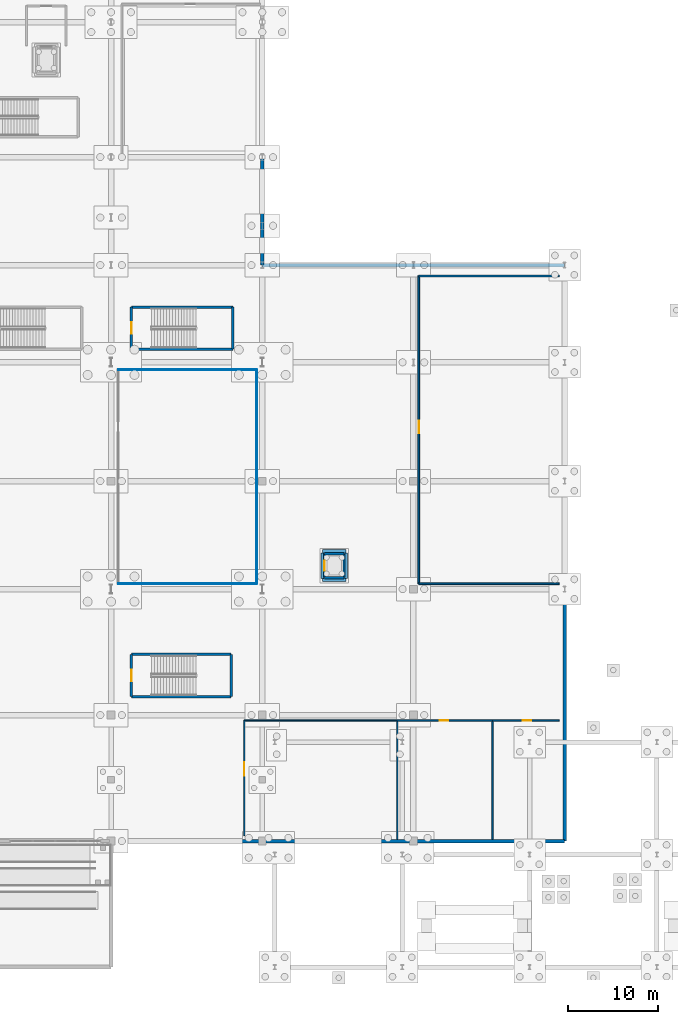
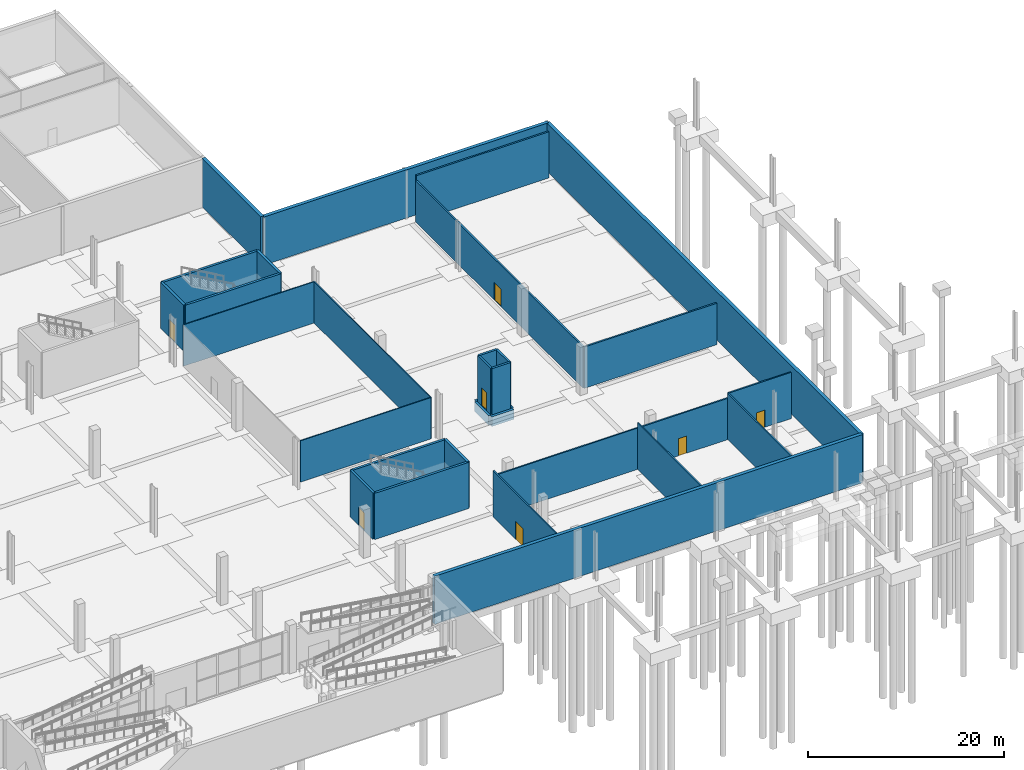
# One storey, part 32 of 46: 32 walls, 7 doors, 7 openings.
"""IFC4 building model written with IfcOpenShell, lengths in metres."""

from ifc_helpers import new_model, si_unit, direction, frame, frame_2d, origin, place, context, subcontext, project, spatial, rectangle, extrude, material, layer, layer_set, type_object, element, fill, save


model = new_model("IFC4")

# Units and contexts
model_context = context("Model", 3, precision=1e-05, world=origin(), true_north=direction((0.0, 1.0)))
body_context = subcontext(model_context, "Body", "Model", "MODEL_VIEW")
ifc_project = project(units=[si_unit("LENGTHUNIT", "METRE"), si_unit("AREAUNIT", "SQUARE_METRE"), si_unit("VOLUMEUNIT", "CUBIC_METRE"), si_unit("PLANEANGLEUNIT", "RADIAN"), si_unit("MASSUNIT", "GRAM", prefix="KILO")], contexts=[model_context])

# Site, building, storey
site_placement = place(None, origin())
site = spatial("IfcSite", under=ifc_project, at=site_placement, CompositionType="ELEMENT")
building_placement = place(site_placement, origin())
building = spatial("IfcBuilding", under=site, at=building_placement, Name="Kimbaza Rail Terminus", CompositionType="ELEMENT")
storey_placement = place(building_placement, frame((0.0, 0.0, -6.0)))
storey = spatial("IfcBuildingStorey", under=building, at=storey_placement, Name="B1", CompositionType="ELEMENT", Elevation=-6.0)

# Walls
ifc_material_1 = material(Name="Concrete blockwork C30/37", Category="masonry")
ifc_layer_1 = layer(ifc_material_1, 0.199951171875)
ifc_layer_set_1 = layer_set([ifc_layer_1], Name="Concrete blockwork C30/37")
wall_type_1 = type_object("IfcWallType", Name="ARC-WL-FIRE200", PredefinedType="PARTITIONING", material=ifc_layer_set_1)
wall_1_placement = place(storey_placement, frame((173.39990234375, 55.60009765625, 0.0), z_axis=(0.0, 0.0, 1.0), x_axis=(1.0, 0.0, 0.0)))
element("IfcWall", 1, at=wall_1_placement, inside=storey, type_object=wall_type_1, Name="Tunnel Ventilation Fan Plant East Partition (south)", PredefinedType="PARTITIONING", context=body_context, shape_type="SweptSolid", body=[
    extrude(rectangle(XDim=15.60009765625, YDim=0.199951171875, at=frame_2d((7.800048828125, 0.0))), origin(), (0.0, 0.0, 1.0), 5.14501953125),
])
wall_2_placement = place(storey_placement, frame((189.0, 89.800048828125, 0.0), z_axis=(0.0, 0.0, 1.0), x_axis=(-1.0, 0.0, 0.0)))
element("IfcWall", 2, at=wall_2_placement, inside=storey, type_object=wall_type_1, Name="Tunnel Ventilation Fan Plant East Partition (north)", PredefinedType="PARTITIONING", context=body_context, shape_type="SweptSolid", body=[
    extrude(rectangle(XDim=15.60009765625, YDim=0.199951171875, at=frame_2d((7.800048828125, 0.0))), origin(), (0.0, 0.0, 1.0), 5.75),
])

# Wall, opening, door
wall_3_placement = place(storey_placement, frame((173.39990234375, 89.800048828125, 0.0), z_axis=(0.0, 0.0, 1.0), x_axis=(0.0, -1.0, 0.0)))
wall_3 = element("IfcWall", 3, at=wall_3_placement, inside=storey, type_object=wall_type_1, Name="Tunnel Ventilation Fan Plant East Partition (west)", PredefinedType="PARTITIONING", context=body_context, shape_type="SweptSolid", body=[
    extrude(rectangle(XDim=34.199951171875, YDim=0.199951171875, at=frame_2d((17.10009765625, 0.0))), origin(), (0.0, 0.0, 1.0), 5.14501953125),
])
opening_1_placement = place(wall_3_placement, frame((16.10009765625, 0.0, 0.0)))
opening_1 = element("IfcOpeningElement", 4, at=opening_1_placement, cuts=wall_3, Name="Opening FD-01", PredefinedType="OPENING", context=body_context, shape_type="SweptSolid", body=[
    extrude(rectangle(XDim=1.39990234375, YDim=2.199951171875, at=frame_2d((0.699951171875, 1.10009765625))), frame((0.0, 0.10986328125, 0.0), z_axis=(0.0, -1.0, 0.0), x_axis=(1.0, 0.0, 0.0)), (0.0, 0.0, 1.0), 0.219970703125),
])
ifc_material_2 = material(Name="Galvanised painted steel fire escape door", Category="steel")
door_type_1 = type_object("IfcDoorType", Name="ARC-DR-FD140", OperationType="NOTDEFINED", PredefinedType="DOOR", material=ifc_material_2)
door_1_placement = place(opening_1_placement, origin())
door_1 = element("IfcDoor", 5, at=door_1_placement, inside=storey, type_object=door_type_1, Name="IDR-SPC-B1-VENTE", OperationType="SINGLE_SWING_RIGHT", OverallHeight=2.199951171875, OverallWidth=1.39990234375, PredefinedType="DOOR", context=body_context, shape_type="SweptSolid", body=[
    extrude(rectangle(XDim=1.39990234375, YDim=2.199951171875, at=frame_2d((0.699951171875, 1.10009765625))), frame((0.0, 0.02490234375, 0.0), z_axis=(0.0, -1.0, 0.0), x_axis=(1.0, 0.0, 0.0)), (0.0, 0.0, 1.0), 0.050048828125),
])
fill(opening_1, door_1)

# Walls
ifc_material_3 = material(Name="Demountable acoustic glass wall", Category="glass")
ifc_layer_2 = layer(ifc_material_3, 0.110107421875)
ifc_layer_set_2 = layer_set([ifc_layer_2], Name="Demountable acoustic glass wall")
wall_type_2 = type_object("IfcWallType", Name="ARC-WL-MOV110", PredefinedType="MOVABLE", material=ifc_layer_set_2)
wall_4_placement = place(storey_placement, frame((140.0, 55.60009765625, 0.0), z_axis=(0.0, 0.0, 1.0), x_axis=(1.0, 0.0, 0.0)))
element("IfcWall", 6, at=wall_4_placement, inside=storey, type_object=wall_type_2, Name="Automated Baggage Handling Vault Partition (south)", PredefinedType="MOVABLE", context=body_context, shape_type="SweptSolid", body=[
    extrude(rectangle(XDim=15.39990234375, YDim=0.110107421875, at=frame_2d((7.699951171875, 0.0))), origin(), (0.0, 0.0, 1.0), 5.14501953125),
])
wall_5_placement = place(storey_placement, frame((155.39990234375, 55.60009765625, 0.0), z_axis=(0.0, 0.0, 1.0), x_axis=(0.0, 1.0, 0.0)))
element("IfcWall", 7, at=wall_5_placement, inside=storey, type_object=wall_type_2, Name="Automated Baggage Handling Vault Partition (east)", PredefinedType="MOVABLE", context=body_context, shape_type="SweptSolid", body=[
    extrude(rectangle(XDim=23.7998046875, YDim=0.110107421875, at=frame_2d((11.89990234375, 0.0))), origin(), (0.0, 0.0, 1.0), 5.14501953125),
])
wall_6_placement = place(storey_placement, frame((155.39990234375, 79.39990234375, 0.0), z_axis=(0.0, 0.0, 1.0), x_axis=(-1.0, 0.0, 0.0)))
element("IfcWall", 8, at=wall_6_placement, inside=storey, type_object=wall_type_2, Name="Automated Baggage Handling Vault Partition (north)", PredefinedType="MOVABLE", context=body_context, shape_type="SweptSolid", body=[
    extrude(rectangle(XDim=15.39990234375, YDim=0.110107421875, at=frame_2d((7.699951171875, 0.0))), origin(), (0.0, 0.0, 1.0), 5.14501953125),
])
ifc_material_4 = material(Name="Acoustic gypsum stud partition", Category="gypsum")
ifc_layer_3 = layer(ifc_material_4, 0.159912109375)
ifc_layer_set_3 = layer_set([ifc_layer_3], Name="Acoustic gypsum stud partition")
wall_type_3 = type_object("IfcWallType", Name="ARC-WL-PART160", PredefinedType="PARTITIONING", material=ifc_layer_set_3)
wall_7_placement = place(storey_placement, frame((171.0, 27.199951171875, 0.0), z_axis=(0.0, 0.0, 1.0), x_axis=(0.0, 1.0, 0.0)))
element("IfcWall", 9, at=wall_7_placement, inside=storey, type_object=wall_type_3, Name="Metro Convenience Kiosk Partition (east)", PredefinedType="PARTITIONING", context=body_context, shape_type="SweptSolid", body=[
    extrude(rectangle(XDim=13.199951171875, YDim=0.159912109375, at=frame_2d((6.60009765625, 0.0))), origin(), (0.0, 0.0, 1.0), 5.75),
])
wall_8_placement = place(storey_placement, frame((171.0, 40.39990234375, 0.0), z_axis=(0.0, 0.0, 1.0), x_axis=(-1.0, 0.0, 0.0)))
element("IfcWall", 10, at=wall_8_placement, inside=storey, type_object=wall_type_3, Name="Metro Convenience Kiosk Partition (north)", PredefinedType="PARTITIONING", context=body_context, shape_type="SweptSolid", body=[
    extrude(rectangle(XDim=17.0, YDim=0.159912109375, at=frame_2d((8.5, 0.0))), origin(), (0.0, 0.0, 1.0), 5.14501953125),
])

# Wall, opening, door
wall_9_placement = place(storey_placement, frame((154.0, 40.39990234375, 0.0), z_axis=(0.0, 0.0, 1.0), x_axis=(0.0, -1.0, 0.0)))
wall_9 = element("IfcWall", 11, at=wall_9_placement, inside=storey, type_object=wall_type_3, Name="Metro Convenience Kiosk Partition (west)", PredefinedType="PARTITIONING", context=body_context, shape_type="SweptSolid", body=[
    extrude(rectangle(XDim=12.7998046875, YDim=0.159912109375, at=frame_2d((6.39990234375, 0.0))), origin(), (0.0, 0.0, 1.0), 5.75),
])
opening_2_placement = place(wall_9_placement, frame((6.14990234375, 0.0, 0.0), z_axis=(0.0, 0.0, 1.0), x_axis=(-1.0, 0.0, 0.0)))
opening_2 = element("IfcOpeningElement", 12, at=opening_2_placement, cuts=wall_9, Name="Opening ID-01", PredefinedType="OPENING", context=body_context, shape_type="SweptSolid", body=[
    extrude(rectangle(XDim=1.5, YDim=2.25, at=frame_2d((0.75, 1.125))), frame((0.0, 0.08984375, 0.0), z_axis=(0.0, -1.0, 0.0), x_axis=(1.0, 0.0, 0.0)), (0.0, 0.0, 1.0), 0.179931640625),
])
ifc_material_5 = material(Name="Anodised aluminium glazed concourse door", Category="aluminium")
door_type_2 = type_object("IfcDoorType", Name="ARC-DR-ID150", OperationType="NOTDEFINED", PredefinedType="DOOR", material=ifc_material_5)
door_2_placement = place(opening_2_placement, origin())
door_2 = element("IfcDoor", 13, at=door_2_placement, inside=storey, type_object=door_type_2, Name="IDR-SPC-B1-RETL", OperationType="SINGLE_SWING_RIGHT", OverallHeight=2.25, OverallWidth=1.5, PredefinedType="DOOR", context=body_context, shape_type="SweptSolid", body=[
    extrude(rectangle(XDim=1.5, YDim=2.25, at=frame_2d((0.75, 1.125))), frame((0.0, 0.02490234375, 0.0), z_axis=(0.0, -1.0, 0.0), x_axis=(1.0, 0.0, 0.0)), (0.0, 0.0, 1.0), 0.050048828125),
])
fill(opening_2, door_2)

# Wall
ifc_material_6 = material(Name="Moisture-resistant blockwork C25/30", Category="masonry")
ifc_layer_4 = layer(ifc_material_6, 0.169921875)
ifc_layer_set_4 = layer_set([ifc_layer_4], Name="Moisture-resistant blockwork C25/30")
wall_type_4 = type_object("IfcWallType", Name="ARC-WL-PLMB170", PredefinedType="PLUMBINGWALL", material=ifc_layer_set_4)
wall_10_placement = place(storey_placement, frame((181.60009765625, 27.199951171875, 0.0), z_axis=(0.0, 0.0, 1.0), x_axis=(0.0, 1.0, 0.0)))
element("IfcWall", 14, at=wall_10_placement, inside=storey, type_object=wall_type_4, Name="Metro Public Male and Female WC Partition (east)", PredefinedType="PLUMBINGWALL", context=body_context, shape_type="SweptSolid", body=[
    extrude(rectangle(XDim=13.199951171875, YDim=0.169921875, at=frame_2d((6.60009765625, 0.0))), origin(), (0.0, 0.0, 1.0), 5.75),
])

# Wall, opening, door
wall_11_placement = place(storey_placement, frame((181.60009765625, 40.39990234375, 0.0), z_axis=(0.0, 0.0, 1.0), x_axis=(-1.0, 0.0, 0.0)))
wall_11 = element("IfcWall", 15, at=wall_11_placement, inside=storey, type_object=wall_type_4, Name="Metro Public Male and Female WC Partition (north)", PredefinedType="PLUMBINGWALL", context=body_context, shape_type="SweptSolid", body=[
    extrude(rectangle(XDim=10.60009765625, YDim=0.169921875, at=frame_2d((5.300048828125, 0.0))), origin(), (0.0, 0.0, 1.0), 5.14501953125),
])
opening_3_placement = place(wall_11_placement, frame((4.925048828125, 0.0, 0.0)))
opening_3 = element("IfcOpeningElement", 16, at=opening_3_placement, cuts=wall_11, Name="Opening ID-06", PredefinedType="OPENING", context=body_context, shape_type="SweptSolid", body=[
    extrude(rectangle(XDim=0.949951171875, YDim=2.14990234375, at=frame_2d((0.47509765625, 1.074951171875))), frame((0.0, 0.094970703125, 0.0), z_axis=(0.0, -1.0, 0.0), x_axis=(1.0, 0.0, 0.0)), (0.0, 0.0, 1.0), 0.18994140625),
])
ifc_material_7 = material(Name="Accessible washroom outward-capable door", Category="wood")
door_type_3 = type_object("IfcDoorType", Name="ARC-DR-ID095", OperationType="NOTDEFINED", PredefinedType="DOOR", material=ifc_material_7)
door_3_placement = place(opening_3_placement, origin())
door_3 = element("IfcDoor", 17, at=door_3_placement, inside=storey, type_object=door_type_3, Name="IDR-SPC-B1-MWC", OperationType="SINGLE_SWING_LEFT", OverallHeight=2.14990234375, OverallWidth=0.949951171875, PredefinedType="DOOR", context=body_context, shape_type="SweptSolid", body=[
    extrude(rectangle(XDim=0.949951171875, YDim=2.14990234375, at=frame_2d((0.47509765625, 1.074951171875))), frame((0.0, 0.02490234375, 0.0), z_axis=(0.0, -1.0, 0.0), x_axis=(1.0, 0.0, 0.0)), (0.0, 0.0, 1.0), 0.050048828125),
])
fill(opening_3, door_3)

wall_12_placement = place(storey_placement, frame((189.0, 40.39990234375, 0.0), z_axis=(0.0, 0.0, 1.0), x_axis=(-1.0, 0.0, 0.0)))
wall_12 = element("IfcWall", 18, at=wall_12_placement, inside=storey, type_object=wall_type_4, Name="Metro Accessible WC Partition (north)", PredefinedType="PLUMBINGWALL", context=body_context, shape_type="SweptSolid", body=[
    extrude(rectangle(XDim=7.39990234375, YDim=0.169921875, at=frame_2d((3.699951171875, 0.0))), origin(), (0.0, 0.0, 1.0), 5.75),
])
opening_4_placement = place(wall_12_placement, frame((3.125, 0.0, 0.0)))
opening_4 = element("IfcOpeningElement", 19, at=opening_4_placement, cuts=wall_12, Name="Opening ID-06", PredefinedType="OPENING", context=body_context, shape_type="SweptSolid", body=[
    extrude(rectangle(XDim=0.949951171875, YDim=2.14990234375, at=frame_2d((0.47509765625, 1.074951171875))), frame((0.0, 0.094970703125, 0.0), z_axis=(0.0, -1.0, 0.0), x_axis=(1.0, 0.0, 0.0)), (0.0, 0.0, 1.0), 0.18994140625),
])
door_4_placement = place(opening_4_placement, origin())
door_4 = element("IfcDoor", 20, at=door_4_placement, inside=storey, type_object=door_type_3, Name="IDR-SPC-B1-MAWC", OperationType="SINGLE_SWING_RIGHT", OverallHeight=2.14990234375, OverallWidth=0.949951171875, PredefinedType="DOOR", context=body_context, shape_type="SweptSolid", body=[
    extrude(rectangle(XDim=0.949951171875, YDim=2.14990234375, at=frame_2d((0.47509765625, 1.074951171875))), frame((0.0, 0.02490234375, 0.0), z_axis=(0.0, -1.0, 0.0), x_axis=(1.0, 0.0, 0.0)), (0.0, 0.0, 1.0), 0.050048828125),
])
fill(opening_4, door_4)

# Walls
ifc_material_8 = material(Name="Concrete C40/50", Category="concrete")
ifc_layer_5 = layer(ifc_material_8, 0.25)
ifc_layer_set_5 = layer_set([ifc_layer_5], Name="Concrete C40/50")
wall_type_5 = type_object("IfcWallType", Name="STR-WL-CORE250", PredefinedType="SHEAR", material=ifc_layer_set_5)
wall_13_placement = place(storey_placement, frame((162.919921875, 56.27001953125, 0.0), z_axis=(0.0, 0.0, 1.0), x_axis=(1.0, 0.0, 0.0)))
element("IfcWall", 21, at=wall_13_placement, inside=storey, type_object=wall_type_5, Name="Lift Shaft Wall LP-06 B1-1", PredefinedType="SHEAR", context=body_context, shape_type="SweptSolid", body=[
    extrude(rectangle(XDim=2.16015625, YDim=0.25, at=frame_2d((1.080078125, 0.0))), origin(), (0.0, 0.0, 1.0), 5.75),
])
wall_14_placement = place(storey_placement, frame((165.080078125, 56.27001953125, 0.0), z_axis=(0.0, 0.0, 1.0), x_axis=(0.0, 1.0, 0.0)))
element("IfcWall", 22, at=wall_14_placement, inside=storey, type_object=wall_type_5, Name="Lift Shaft Wall LP-06 B1-2", PredefinedType="SHEAR", context=body_context, shape_type="SweptSolid", body=[
    extrude(rectangle(XDim=2.659912109375, YDim=0.25, at=frame_2d((1.330078125, 0.0))), origin(), (0.0, 0.0, 1.0), 5.75),
])
wall_15_placement = place(storey_placement, frame((165.080078125, 58.929931640625, 0.0), z_axis=(0.0, 0.0, 1.0), x_axis=(-1.0, 0.0, 0.0)))
element("IfcWall", 23, at=wall_15_placement, inside=storey, type_object=wall_type_5, Name="Lift Shaft Wall LP-06 B1-3", PredefinedType="SHEAR", context=body_context, shape_type="SweptSolid", body=[
    extrude(rectangle(XDim=2.16015625, YDim=0.25, at=frame_2d((1.080078125, 0.0))), origin(), (0.0, 0.0, 1.0), 5.75),
])

# Wall, opening, door
wall_16_placement = place(storey_placement, frame((162.919921875, 58.929931640625, 0.0), z_axis=(0.0, 0.0, 1.0), x_axis=(0.0, -1.0, 0.0)))
wall_16 = element("IfcWall", 24, at=wall_16_placement, inside=storey, type_object=wall_type_5, Name="Lift Shaft Wall LP-06 B1-4", PredefinedType="SHEAR", context=body_context, shape_type="SweptSolid", body=[
    extrude(rectangle(XDim=2.659912109375, YDim=0.25, at=frame_2d((1.330078125, 0.0))), origin(), (0.0, 0.0, 1.0), 5.75),
])
opening_5_placement = place(wall_16_placement, frame((0.780029296875, 0.0, 0.0)))
opening_5 = element("IfcOpeningElement", 25, at=opening_5_placement, cuts=wall_16, Name="Opening LD-01", PredefinedType="OPENING", context=body_context, shape_type="SweptSolid", body=[
    extrude(rectangle(XDim=1.10009765625, YDim=2.199951171875, at=frame_2d((0.550048828125, 1.10009765625))), frame((0.0, 0.135009765625, 0.0), z_axis=(0.0, -1.0, 0.0), x_axis=(1.0, 0.0, 0.0)), (0.0, 0.0, 1.0), 0.27001953125),
])
ifc_material_9 = material(Name="Brushed stainless steel sliding landing door", Category="steel")
door_type_4 = type_object("IfcDoorType", Name="ARC-DR-LD110", OperationType="NOTDEFINED", PredefinedType="DOOR", material=ifc_material_9)
door_5_placement = place(opening_5_placement, origin())
door_5 = element("IfcDoor", 26, at=door_5_placement, inside=storey, type_object=door_type_4, Name="LDR-LP-06-B1", OperationType="SLIDING_TO_LEFT", OverallHeight=2.199951171875, OverallWidth=1.10009765625, PredefinedType="DOOR", context=body_context, shape_type="SweptSolid", body=[
    extrude(rectangle(XDim=1.10009765625, YDim=2.199951171875, at=frame_2d((0.550048828125, 1.10009765625))), frame((0.0, 0.02490234375, 0.0), z_axis=(0.0, -1.0, 0.0), x_axis=(1.0, 0.0, 0.0)), (0.0, 0.0, 1.0), 0.050048828125),
])
fill(opening_5, door_5)

# Walls
ifc_material_10 = material(Name="Concrete C40/50", Category="concrete")
ifc_layer_6 = layer(ifc_material_10, 0.280029296875)
ifc_layer_set_6 = layer_set([ifc_layer_6], Name="Concrete C40/50")
wall_type_6 = type_object("IfcWallType", Name="STR-WL-CORE280", PredefinedType="SHEAR", material=ifc_layer_set_6)
wall_17_placement = place(storey_placement, frame((141.4599609375, 81.659912109375, 0.0), z_axis=(0.0, 0.0, 1.0), x_axis=(1.0, 0.0, 0.0)))
element("IfcWall", 27, at=wall_17_placement, inside=storey, type_object=wall_type_6, Name="Platform East Concourse Stair Shaft Wall B1-1", PredefinedType="SHEAR", context=body_context, shape_type="SweptSolid", body=[
    extrude(rectangle(XDim=11.280029296875, YDim=0.280029296875, at=frame_2d((5.64013671875, 0.0))), origin(), (0.0, 0.0, 1.0), 5.75),
])
wall_18_placement = place(storey_placement, frame((152.739990234375, 81.659912109375, 0.0), z_axis=(0.0, 0.0, 1.0), x_axis=(0.0, 1.0, 0.0)))
element("IfcWall", 28, at=wall_18_placement, inside=storey, type_object=wall_type_6, Name="Platform East Concourse Stair Shaft Wall B1-2", PredefinedType="SHEAR", context=body_context, shape_type="SweptSolid", body=[
    extrude(rectangle(XDim=4.68017578125, YDim=0.280029296875, at=frame_2d((2.340087890625, 0.0))), origin(), (0.0, 0.0, 1.0), 5.75),
])
wall_19_placement = place(storey_placement, frame((152.739990234375, 86.340087890625, 0.0), z_axis=(0.0, 0.0, 1.0), x_axis=(-1.0, 0.0, 0.0)))
element("IfcWall", 29, at=wall_19_placement, inside=storey, type_object=wall_type_6, Name="Platform East Concourse Stair Shaft Wall B1-3", PredefinedType="SHEAR", context=body_context, shape_type="SweptSolid", body=[
    extrude(rectangle(XDim=11.280029296875, YDim=0.280029296875, at=frame_2d((5.64013671875, 0.0))), origin(), (0.0, 0.0, 1.0), 5.75),
])

# Wall, opening, door
wall_20_placement = place(storey_placement, frame((141.4599609375, 86.340087890625, 0.0), z_axis=(0.0, 0.0, 1.0), x_axis=(0.0, -1.0, 0.0)))
wall_20 = element("IfcWall", 30, at=wall_20_placement, inside=storey, type_object=wall_type_6, Name="Platform East Concourse Stair Shaft Wall B1-4", PredefinedType="SHEAR", context=body_context, shape_type="SweptSolid", body=[
    extrude(rectangle(XDim=4.68017578125, YDim=0.280029296875, at=frame_2d((2.340087890625, 0.0))), origin(), (0.0, 0.0, 1.0), 5.75),
])
opening_6_placement = place(wall_20_placement, frame((1.715087890625, 0.0, 0.0)))
opening_6 = element("IfcOpeningElement", 31, at=opening_6_placement, cuts=wall_20, Name="Opening FD-02", PredefinedType="OPENING", context=body_context, shape_type="SweptSolid", body=[
    extrude(rectangle(XDim=1.25, YDim=2.199951171875, at=frame_2d((0.625, 1.10009765625))), frame((0.0, 0.14990234375, 0.0), z_axis=(0.0, -1.0, 0.0), x_axis=(1.0, 0.0, 0.0)), (0.0, 0.0, 1.0), 0.300048828125),
])
ifc_material_11 = material(Name="Galvanised painted steel fire stair door", Category="steel")
door_type_5 = type_object("IfcDoorType", Name="ARC-DR-FD125", OperationType="NOTDEFINED", PredefinedType="DOOR", material=ifc_material_11)
door_6_placement = place(opening_6_placement, origin())
door_6 = element("IfcDoor", 32, at=door_6_placement, inside=storey, type_object=door_type_5, Name="SDR-ST-C2-B1", OperationType="SINGLE_SWING_LEFT", OverallHeight=2.199951171875, OverallWidth=1.25, PredefinedType="DOOR", context=body_context, shape_type="SweptSolid", body=[
    extrude(rectangle(XDim=1.25, YDim=2.199951171875, at=frame_2d((0.625, 1.10009765625))), frame((0.0, 0.02490234375, 0.0), z_axis=(0.0, -1.0, 0.0), x_axis=(1.0, 0.0, 0.0)), (0.0, 0.0, 1.0), 0.050048828125),
])
fill(opening_6, door_6)

# Walls
wall_21_placement = place(storey_placement, frame((141.4599609375, 43.06005859375, 0.0), z_axis=(0.0, 0.0, 1.0), x_axis=(1.0, 0.0, 0.0)))
element("IfcWall", 33, at=wall_21_placement, inside=storey, type_object=wall_type_6, Name="South Metro Concourse East Stair Shaft Wall B1-1", PredefinedType="SHEAR", context=body_context, shape_type="SweptSolid", body=[
    extrude(rectangle(XDim=11.080078125, YDim=0.280029296875, at=frame_2d((5.5400390625, 0.0))), origin(), (0.0, 0.0, 1.0), 5.75),
])
wall_22_placement = place(storey_placement, frame((152.5400390625, 43.06005859375, 0.0), z_axis=(0.0, 0.0, 1.0), x_axis=(0.0, 1.0, 0.0)))
element("IfcWall", 34, at=wall_22_placement, inside=storey, type_object=wall_type_6, Name="South Metro Concourse East Stair Shaft Wall B1-2", PredefinedType="SHEAR", context=body_context, shape_type="SweptSolid", body=[
    extrude(rectangle(XDim=4.679931640625, YDim=0.280029296875, at=frame_2d((2.33984375, 0.0))), origin(), (0.0, 0.0, 1.0), 5.75),
])
wall_23_placement = place(storey_placement, frame((152.5400390625, 47.739990234375, 0.0), z_axis=(0.0, 0.0, 1.0), x_axis=(-1.0, 0.0, 0.0)))
element("IfcWall", 35, at=wall_23_placement, inside=storey, type_object=wall_type_6, Name="South Metro Concourse East Stair Shaft Wall B1-3", PredefinedType="SHEAR", context=body_context, shape_type="SweptSolid", body=[
    extrude(rectangle(XDim=11.080078125, YDim=0.280029296875, at=frame_2d((5.5400390625, 0.0))), origin(), (0.0, 0.0, 1.0), 5.75),
])

# Wall, opening, door
wall_24_placement = place(storey_placement, frame((141.4599609375, 47.739990234375, 0.0), z_axis=(0.0, 0.0, 1.0), x_axis=(0.0, -1.0, 0.0)))
wall_24 = element("IfcWall", 36, at=wall_24_placement, inside=storey, type_object=wall_type_6, Name="South Metro Concourse East Stair Shaft Wall B1-4", PredefinedType="SHEAR", context=body_context, shape_type="SweptSolid", body=[
    extrude(rectangle(XDim=4.679931640625, YDim=0.280029296875, at=frame_2d((2.33984375, 0.0))), origin(), (0.0, 0.0, 1.0), 5.75),
])
opening_7_placement = place(wall_24_placement, frame((1.715087890625, 0.0, 0.0)))
opening_7 = element("IfcOpeningElement", 37, at=opening_7_placement, cuts=wall_24, Name="Opening FD-02", PredefinedType="OPENING", context=body_context, shape_type="SweptSolid", body=[
    extrude(rectangle(XDim=1.25, YDim=2.199951171875, at=frame_2d((0.625, 1.10009765625))), frame((0.0, 0.14990234375, 0.0), z_axis=(0.0, -1.0, 0.0), x_axis=(1.0, 0.0, 0.0)), (0.0, 0.0, 1.0), 0.300048828125),
])
door_7_placement = place(opening_7_placement, origin())
door_7 = element("IfcDoor", 38, at=door_7_placement, inside=storey, type_object=door_type_5, Name="SDR-ST-S2-B1", OperationType="SINGLE_SWING_RIGHT", OverallHeight=2.199951171875, OverallWidth=1.25, PredefinedType="DOOR", context=body_context, shape_type="SweptSolid", body=[
    extrude(rectangle(XDim=1.25, YDim=2.199951171875, at=frame_2d((0.625, 1.10009765625))), frame((0.0, 0.02490234375, 0.0), z_axis=(0.0, -1.0, 0.0), x_axis=(1.0, 0.0, 0.0)), (0.0, 0.0, 1.0), 0.050048828125),
])
fill(opening_7, door_7)

# Walls
ifc_material_12 = material(Name="Concrete C40/50", Category="concrete")
ifc_layer_7 = layer(ifc_material_12, 0.35009765625)
ifc_layer_set_7 = layer_set([ifc_layer_7], Name="Concrete C40/50")
wall_type_7 = type_object("IfcWallType", Name="STR-WL-RET350", PredefinedType="SOLIDWALL", material=ifc_layer_set_7)
wall_25_placement = place(storey_placement, frame((162.699951171875, 56.0, -1.199951171875), z_axis=(0.0, 0.0, 1.0), x_axis=(1.0, 0.0, 0.0)))
element("IfcWall", 39, at=wall_25_placement, inside=storey, type_object=wall_type_7, Name="Lift Pit Wall LP-06-1", PredefinedType="SOLIDWALL", context=body_context, shape_type="SweptSolid", body=[
    extrude(rectangle(XDim=2.60009765625, YDim=0.35009765625, at=frame_2d((1.300048828125, 0.0))), origin(), (0.0, 0.0, 1.0), 1.199951171875),
])
wall_26_placement = place(storey_placement, frame((165.300048828125, 56.175048828125, -1.199951171875), z_axis=(0.0, 0.0, 1.0), x_axis=(0.0, 1.0, 0.0)))
element("IfcWall", 40, at=wall_26_placement, inside=storey, type_object=wall_type_7, Name="Lift Pit Wall LP-06-2", PredefinedType="SOLIDWALL", context=body_context, shape_type="SweptSolid", body=[
    extrude(rectangle(XDim=2.849853515625, YDim=0.35009765625, at=frame_2d((1.4248046875, 0.0))), origin(), (0.0, 0.0, 1.0), 1.199951171875),
])
wall_27_placement = place(storey_placement, frame((165.300048828125, 59.199951171875, -1.199951171875), z_axis=(0.0, 0.0, 1.0), x_axis=(-1.0, 0.0, 0.0)))
element("IfcWall", 41, at=wall_27_placement, inside=storey, type_object=wall_type_7, Name="Lift Pit Wall LP-06-3", PredefinedType="SOLIDWALL", context=body_context, shape_type="SweptSolid", body=[
    extrude(rectangle(XDim=2.60009765625, YDim=0.35009765625, at=frame_2d((1.300048828125, 0.0))), origin(), (0.0, 0.0, 1.0), 1.199951171875),
])
wall_28_placement = place(storey_placement, frame((162.699951171875, 59.02490234375, -1.199951171875), z_axis=(0.0, 0.0, 1.0), x_axis=(0.0, -1.0, 0.0)))
element("IfcWall", 42, at=wall_28_placement, inside=storey, type_object=wall_type_7, Name="Lift Pit Wall LP-06-4", PredefinedType="SOLIDWALL", context=body_context, shape_type="SweptSolid", body=[
    extrude(rectangle(XDim=2.849853515625, YDim=0.35009765625, at=frame_2d((1.4248046875, 0.0))), origin(), (0.0, 0.0, 1.0), 1.199951171875),
])
ifc_material_13 = material(Name="Concrete C40/50", Category="concrete")
ifc_layer_8 = layer(ifc_material_13, 0.39990234375)
ifc_layer_set_8 = layer_set([ifc_layer_8], Name="Concrete C40/50")
wall_type_8 = type_object("IfcWallType", Name="STR-WL-RET400", PredefinedType="SOLIDWALL", material=ifc_layer_set_8)
wall_29_placement = place(storey_placement, frame((139.199951171875, 27.0, 0.0), z_axis=(0.0, 0.0, 1.0), x_axis=(1.0, 0.0, 0.0)))
element("IfcWall", 43, at=wall_29_placement, inside=storey, type_object=wall_type_8, Name="Metro Box Retaining Wall 2", PredefinedType="SOLIDWALL", context=body_context, shape_type="SweptSolid", body=[
    extrude(rectangle(XDim=50.400146484375, YDim=0.39990234375, at=frame_2d((25.2001953125, 0.0))), origin(), (0.0, 0.0, 1.0), 6.0),
])
wall_30_placement = place(storey_placement, frame((189.60009765625, 27.0, 0.0), z_axis=(0.0, 0.0, 1.0), x_axis=(0.0, 1.0, 0.0)))
element("IfcWall", 44, at=wall_30_placement, inside=storey, type_object=wall_type_8, Name="Metro Box Retaining Wall 9", PredefinedType="SOLIDWALL", context=body_context, shape_type="SweptSolid", body=[
    extrude(rectangle(XDim=64.0, YDim=0.39990234375, at=frame_2d((32.0, 0.0))), origin(), (0.0, 0.0, 1.0), 6.0),
])
wall_31_placement = place(storey_placement, frame((189.60009765625, 91.0, 0.0), z_axis=(0.0, 0.0, 1.0), x_axis=(-1.0, 0.0, 0.0)))
element("IfcWall", 45, at=wall_31_placement, inside=storey, type_object=wall_type_8, Name="Metro Box Retaining Wall 10", PredefinedType="SOLIDWALL", context=body_context, shape_type="SweptSolid", body=[
    extrude(rectangle(XDim=33.60009765625, YDim=0.39990234375, at=frame_2d((16.800048828125, 0.0))), origin(), (0.0, 0.0, 1.0), 6.0),
])
wall_32_placement = place(storey_placement, frame((156.0, 91.0, 0.0), z_axis=(0.0, 0.0, 1.0), x_axis=(0.0, 1.0, 0.0)))
element("IfcWall", 46, at=wall_32_placement, inside=storey, type_object=wall_type_8, Name="Metro Box Retaining Wall 11", PredefinedType="SOLIDWALL", context=body_context, shape_type="SweptSolid", body=[
    extrude(rectangle(XDim=12.0, YDim=0.39990234375, at=frame_2d((6.0, 0.0))), origin(), (0.0, 0.0, 1.0), 6.0),
])

save(model, "model.ifc")
